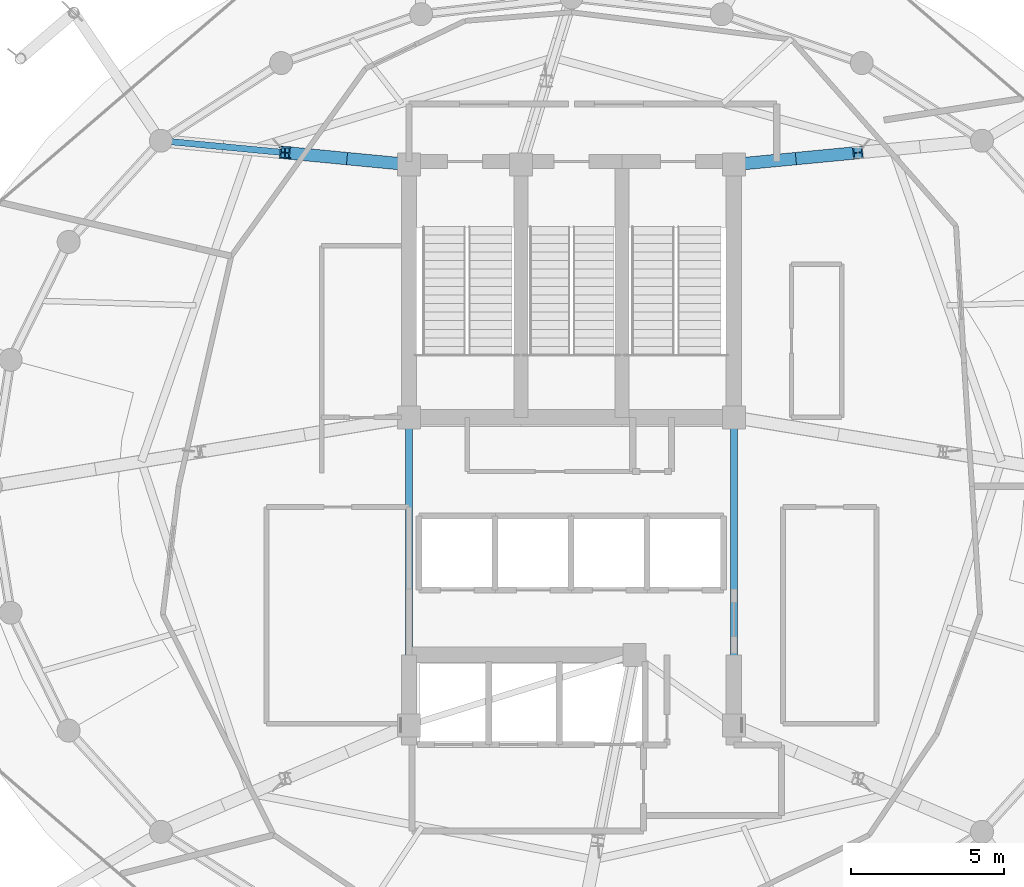
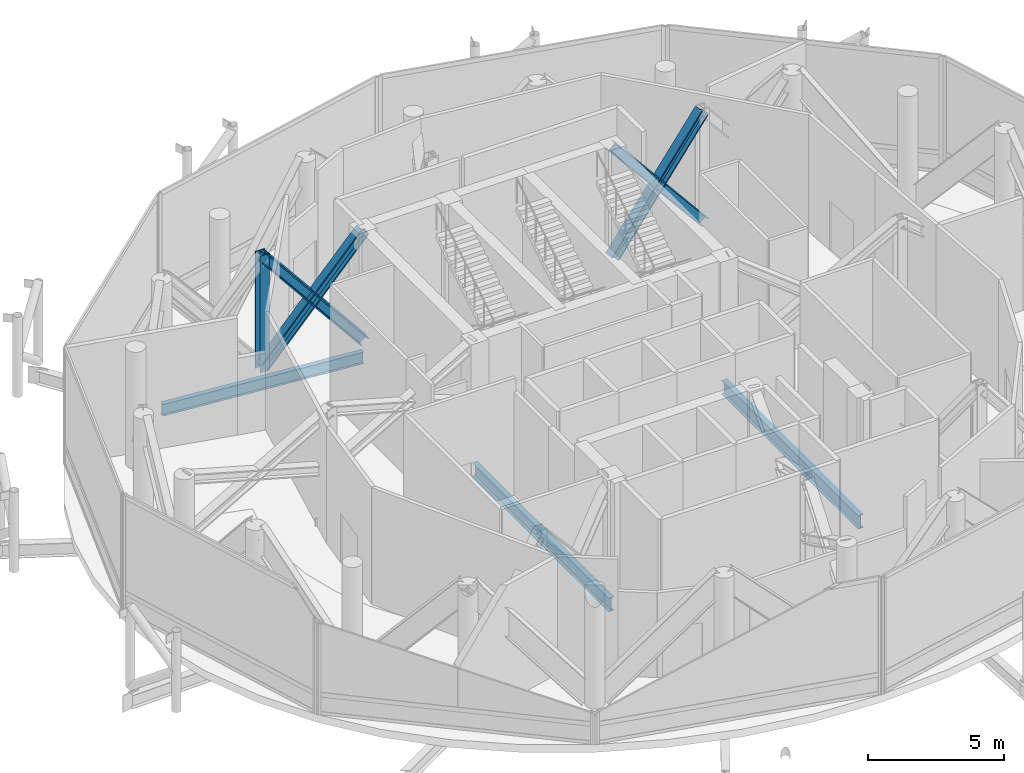
# One storey, part 8 of 26: 5 members, 3 beams.
"""IFC4 building model written with IfcOpenShell, lengths in metres."""

from ifc_helpers import new_model, si_unit, direction, frame, origin, origin_2d, place, context, subcontext, project, spatial, i_section, extrude, material, material_profile, profile_set, type_object, element, save


model = new_model("IFC4")

# Units and contexts
model_context = context("Model", 3, precision=1e-05, world=origin(), true_north=direction((0.0, 1.0)))
body_context = subcontext(model_context, "Body", "Model", "MODEL_VIEW")
ifc_project = project(units=[si_unit("LENGTHUNIT", "METRE"), si_unit("AREAUNIT", "SQUARE_METRE"), si_unit("VOLUMEUNIT", "CUBIC_METRE"), si_unit("PLANEANGLEUNIT", "RADIAN"), si_unit("MASSUNIT", "GRAM", prefix="KILO")], contexts=[model_context])

# Site, building, storey
site_placement = place(None, origin())
site = spatial("IfcSite", under=ifc_project, at=site_placement, CompositionType="ELEMENT")
building_placement = place(site_placement, origin())
building = spatial("IfcBuilding", under=site, at=building_placement, Name="Nuhasar Tower", CompositionType="ELEMENT")
storey_placement = place(building_placement, frame((0.0, 0.0, 301.199951171875)))
storey = spatial("IfcBuildingStorey", under=building, at=storey_placement, Name="L75", CompositionType="ELEMENT", Elevation=301.199951171875)

# Beams
ifc_material_1 = material(Name="Steel S355", Category="steel")
ifc_material_profile_1 = material_profile(ifc_material_1, i_section(OverallWidth=0.208984375, OverallDepth=0.528076171875, WebThickness=0.009521484375, FlangeThickness=0.01318359375, at=origin_2d()), Name="W21X55")
ifc_profile_set_1 = profile_set([ifc_material_profile_1], Name="Steel S355")
beam_type_1 = type_object("IfcBeamType", Name="BM-RAD-W21X55", PredefinedType="BEAM", material=ifc_profile_set_1)
beam_placement = place(storey_placement, frame((33.699951171875, 37.300048828125, -0.614013671875), z_axis=(-0.99542073054, 0.095590633496, 0.0), x_axis=(-0.095590633496, -0.99542073054, 0.0)))
element("IfcBeam", 1, at=beam_placement, inside=storey, type_object=beam_type_1, Name="L75 Radial Floor Girder 07", PredefinedType="BEAM", context=body_context, shape_type="SweptSolid", body=[
    extrude(i_section(OverallWidth=0.208984375, OverallDepth=0.528076171875, WebThickness=0.009521484375, FlangeThickness=0.01318359375, at=origin_2d()), origin(), (0.0, 0.0, 1.0), 8.13720703125),
])
ifc_material_profile_2 = material_profile(ifc_material_1, i_section(OverallWidth=0.22900390625, OverallDepth=0.612060546875, WebThickness=0.011962890625, FlangeThickness=0.01953125, at=origin_2d()), Name="W24X84")
ifc_profile_set_2 = profile_set([ifc_material_profile_2], Name="Steel S355")
beam_type_2 = type_object("IfcBeamType", Name="BM-RAD-W24X84", PredefinedType="BEAM", material=ifc_profile_set_2)
for number, where, z_axis, x_axis, name in (
    (2, (44.300048828125, 19.0, -0.656005859375), (0.0, 1.0, 0.0), (-1.0, 0.0, 0.0), "L75 Core Ring Girder 3"),
    (3, (33.699951171875, 29.050048828125, -0.656005859375), (0.0, -1.0, 0.0), (1.0, 0.0, 0.0), "L75 Core Ring Girder 8"),
):
    element("IfcBeam", number, at=place(storey_placement, frame(where, z_axis=z_axis, x_axis=x_axis)), inside=storey, type_object=beam_type_2, Name=name, PredefinedType="BEAM", context=body_context, shape_type="SweptSolid", body=[
        extrude(i_section(OverallWidth=0.22900390625, OverallDepth=0.612060546875, WebThickness=0.011962890625, FlangeThickness=0.01953125, at=origin_2d()), origin(), (0.0, 0.0, 1.0), 10.050048828125),
    ])

# Members
ifc_material_2 = material(Name="Steel S460", Category="steel")
ifc_material_profile_3 = material_profile(ifc_material_2, i_section(OverallWidth=0.39892578125, OverallDepth=0.385986328125, WebThickness=0.02099609375, FlangeThickness=0.033203125, at=origin_2d()), Name="W14X176")
ifc_profile_set_3 = profile_set([ifc_material_profile_3], Name="Steel S460")
member_type_1 = type_object("IfcMemberType", Name="OUT-CHRD-W14C", PredefinedType="CHORD", material=ifc_profile_set_3)
member_placement = place(storey_placement, frame((29.64990234375, 37.68896484375, 0.0), z_axis=(0.0, 0.0, 1.0), x_axis=(1.0, 0.0, 0.0)))
element("IfcMember", 4, at=member_placement, inside=storey, type_object=member_type_1, Name="L75 Outrigger Truss Post 07", PredefinedType="CHORD", context=body_context, shape_type="SweptSolid", body=[
    extrude(i_section(OverallWidth=0.39892578125, OverallDepth=0.385986328125, WebThickness=0.02099609375, FlangeThickness=0.033203125, at=origin_2d()), origin(), (0.0, 0.0, 1.0), 5.25),
])
ifc_material_profile_4 = material_profile(ifc_material_2, i_section(OverallWidth=0.406005859375, OverallDepth=0.416015625, WebThickness=0.02978515625, FlangeThickness=0.048095703125, at=origin_2d()), Name="W14X257")
ifc_profile_set_4 = profile_set([ifc_material_profile_4], Name="Steel S460")
member_type_2 = type_object("IfcMemberType", Name="OUT-DIAG-W14B", PredefinedType="STRUT", material=ifc_profile_set_4)
for number, where, z_axis, x_axis, name in (
    (5, (44.300048828125, 37.300048828125, 0.150146484375), (0.632078552794, 0.060696915703, 0.772523519073), (-0.095587778676, 0.995421004685, 0.0), "L75 Outrigger Truss Diagonal IN1-05"),
    (6, (48.35009765625, 37.68896484375, 0.150146484375), (-0.632078552794, -0.060696915703, 0.772523519073), (0.095587778676, -0.995421004685, 0.0), "L75 Outrigger Truss Diagonal IN2-05"),
    (7, (33.699951171875, 37.300048828125, 0.150146484375), (-0.632078552794, 0.060696915703, 0.772523519073), (-0.095587778676, -0.995421004685, 0.0), "L75 Outrigger Truss Diagonal IN1-07"),
    (8, (29.64990234375, 37.68896484375, 0.150146484375), (0.632078552794, -0.060696915703, 0.772523519073), (0.095587778676, 0.995421004685, 0.0), "L75 Outrigger Truss Diagonal IN2-07"),
):
    element("IfcMember", number, at=place(storey_placement, frame(where, z_axis=z_axis, x_axis=x_axis)), inside=storey, type_object=member_type_2, Name=name, PredefinedType="STRUT", context=body_context, shape_type="SweptSolid", body=[
        extrude(i_section(OverallWidth=0.406005859375, OverallDepth=0.416015625, WebThickness=0.02978515625, FlangeThickness=0.048095703125, at=origin_2d()), origin(), (0.0, 0.0, 1.0), 6.407470703125),
    ])

save(model, "model.ifc")
